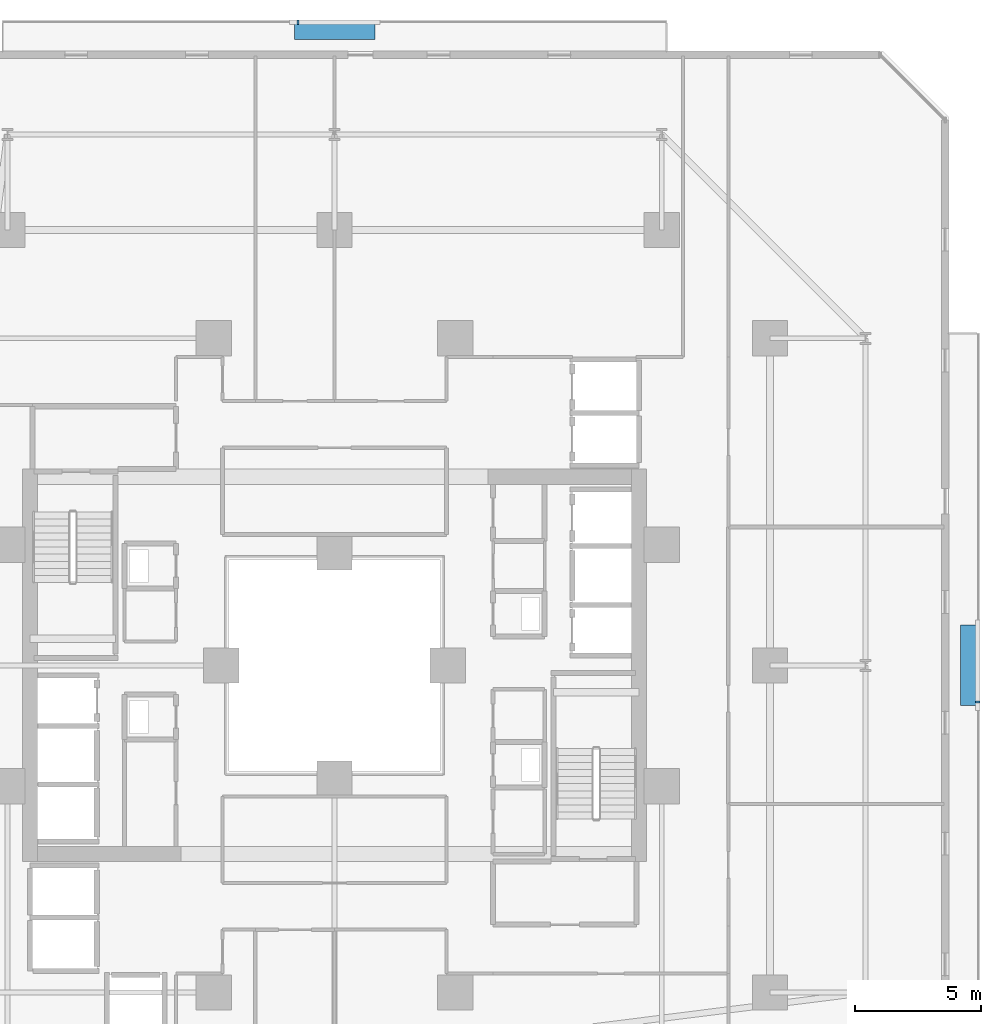
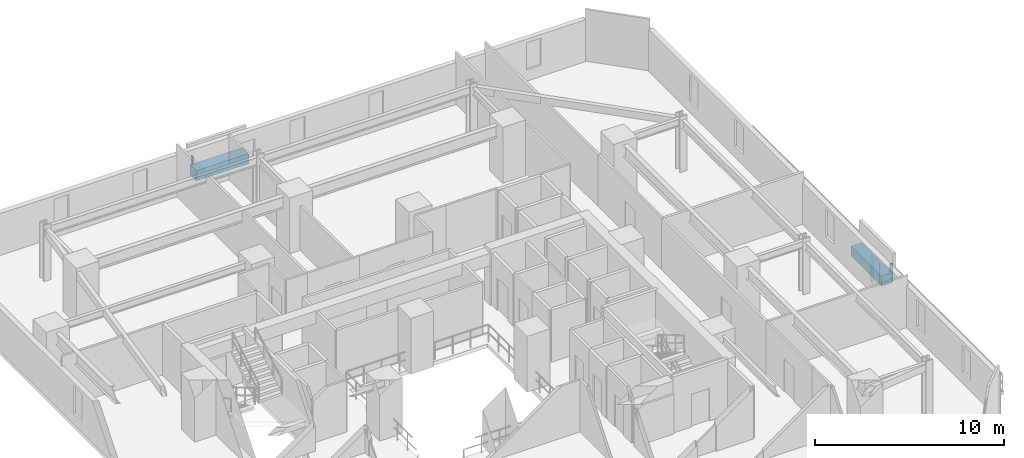
# One storey, part 30 of 34: 4 discrete accessories.
"""IFC4 building model written with IfcOpenShell, lengths in metres."""

from ifc_helpers import new_model, si_unit, direction, frame, origin, origin_2d, place, context, subcontext, project, spatial, rectangle, extrude, material, type_object, element, save


model = new_model("IFC4")

# Units and contexts
model_context = context("Model", 3, precision=1e-05, world=origin(), true_north=direction((0.0, 1.0)))
body_context = subcontext(model_context, "Body", "Model", "MODEL_VIEW")
ifc_project = project(units=[si_unit("LENGTHUNIT", "METRE"), si_unit("AREAUNIT", "SQUARE_METRE"), si_unit("VOLUMEUNIT", "CUBIC_METRE"), si_unit("PLANEANGLEUNIT", "RADIAN"), si_unit("MASSUNIT", "GRAM", prefix="KILO")], contexts=[model_context])

# Site, building, storey
site_placement = place(None, origin())
site = spatial("IfcSite", under=ifc_project, at=site_placement, CompositionType="ELEMENT")
building_placement = place(site_placement, origin())
building = spatial("IfcBuilding", under=site, at=building_placement, Name="Thornwick Lancets Civic Towers", CompositionType="ELEMENT")
storey_placement = place(building_placement, frame((0.0, 0.0, 60.89990234375)))
storey = spatial("IfcBuildingStorey", under=building, at=storey_placement, Name="L15", CompositionType="ELEMENT", Elevation=60.89990234375)

# Discrete accessories
ifc_material_1 = material(Name="Planted terracotta greenery planter", Category="masonry")
discrete_accessory_type_1 = type_object("IfcDiscreteAccessoryType", Name="ACC_PLANTER_BOX", PredefinedType="USERDEFINED", material=ifc_material_1)
discrete_accessory_1_placement = place(storey_placement, frame((113.699951171875, 27.0, 0.000244140625), z_axis=(0.0, 0.0, 1.0), x_axis=(1.0, 0.0, 0.0)))
element("IfcDiscreteAccessory", 1, at=discrete_accessory_1_placement, inside=storey, type_object=discrete_accessory_type_1, Name="L15 Tower B Balcony Greenery Planter E", ObjectType="PLANTER", PredefinedType="USERDEFINED", context=body_context, shape_type="SweptSolid", body=[
    extrude(rectangle(XDim=0.64990234375, YDim=3.199951171875, at=origin_2d()), origin(), (0.0, 0.0, 1.0), 0.64990234375),
])
discrete_accessory_2_placement = place(storey_placement, frame((88.5, 52.199951171875, 0.000244140625), z_axis=(0.0, 0.0, 1.0), x_axis=(1.0, 0.0, 0.0)))
element("IfcDiscreteAccessory", 2, at=discrete_accessory_2_placement, inside=storey, type_object=discrete_accessory_type_1, Name="L15 Tower B Balcony Greenery Planter N", ObjectType="PLANTER", PredefinedType="USERDEFINED", context=body_context, shape_type="SweptSolid", body=[
    extrude(rectangle(XDim=3.199951171875, YDim=0.64990234375, at=origin_2d()), origin(), (0.0, 0.0, 1.0), 0.64990234375),
])
ifc_material_2 = material(Name="Stainless steel S355", Category="steel")
discrete_accessory_type_2 = type_object("IfcDiscreteAccessoryType", Name="ACC_SCREEN_BRACKET", PredefinedType="BRACKET", material=ifc_material_2)
for number, where, z_axis, x_axis, name in (
    (3, (114.06005859375, 25.550048828125, 0.000244140625), (0.0, 0.0, 1.0), (0.0, 1.0, 0.0), "L15 Tower B Balcony Screen Stanchion Bracket E-1"),
    (4, (87.050048828125, 52.56005859375, 0.000244140625), (0.0, 0.0, 1.0), (1.0, 0.0, 0.0), "L15 Tower B Balcony Screen Stanchion Bracket N-1"),
):
    element("IfcDiscreteAccessory", number, at=place(storey_placement, frame(where, z_axis=z_axis, x_axis=x_axis)), inside=storey, type_object=discrete_accessory_type_2, Name=name, PredefinedType="BRACKET", context=body_context, shape_type="SweptSolid", body=[
        extrude(rectangle(XDim=0.080078125, YDim=0.179931640625, at=origin_2d()), origin(), (0.0, 0.0, 1.0), 1.14990234375),
    ])

save(model, "model.ifc")
